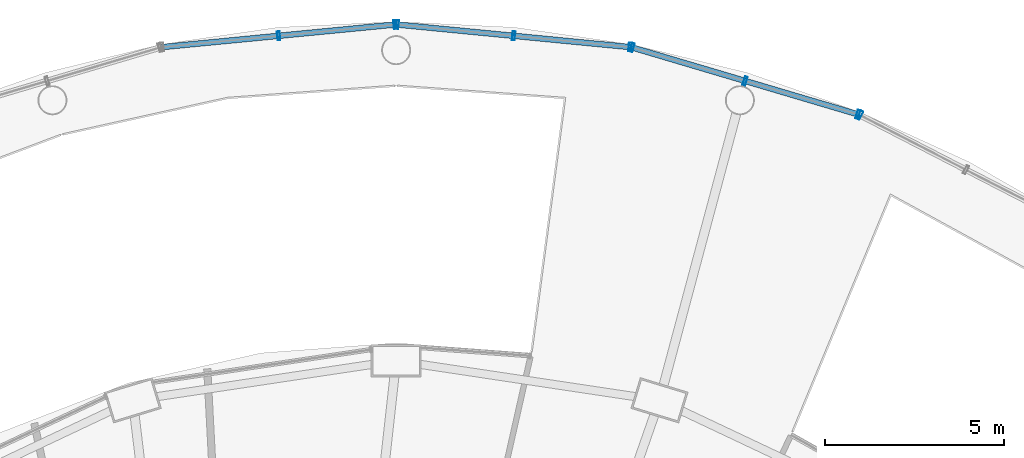
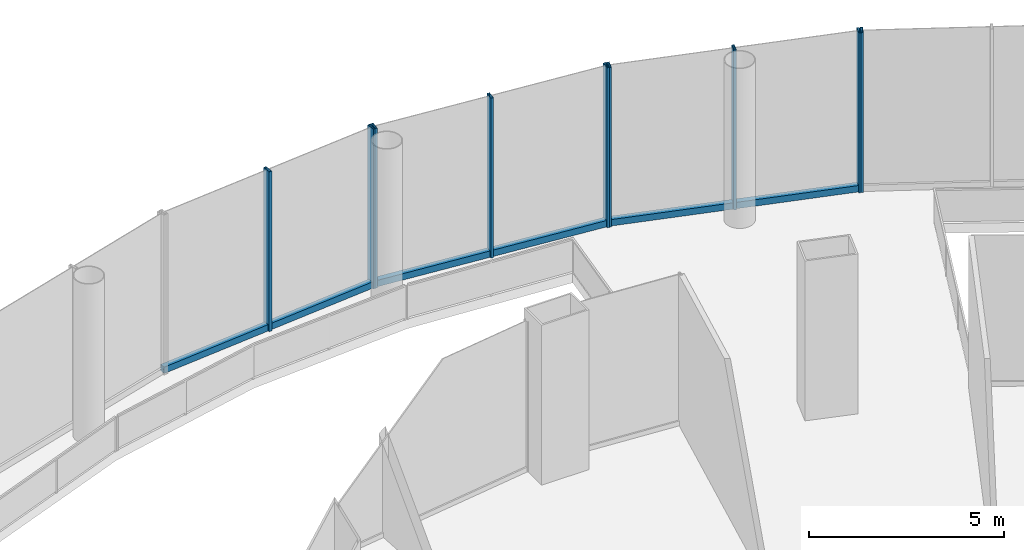
# One storey, part 37 of 47: 12 members, 4 elements without a shape of their own.
"""IFC4 building model written with IfcOpenShell, lengths in metres."""

from ifc_helpers import new_model, si_unit, direction, frame, origin, origin_2d, place, context, subcontext, project, spatial, hollow_rectangle, extrude, material, layer, layer_set, material_profile, profile_set, type_object, element, aggregate, save


model = new_model("IFC4")

# Units and contexts
model_context = context("Model", 3, precision=1e-05, world=origin(), true_north=direction((0.0, 1.0)))
body_context = subcontext(model_context, "Body", "Model", "MODEL_VIEW")
ifc_project = project(units=[si_unit("LENGTHUNIT", "METRE"), si_unit("AREAUNIT", "SQUARE_METRE"), si_unit("VOLUMEUNIT", "CUBIC_METRE"), si_unit("PLANEANGLEUNIT", "RADIAN"), si_unit("MASSUNIT", "GRAM", prefix="KILO")], contexts=[model_context])

# Site, building, storey
site_placement = place(None, origin())
site = spatial("IfcSite", under=ifc_project, at=site_placement, CompositionType="ELEMENT")
building_placement = place(site_placement, origin())
building = spatial("IfcBuilding", under=site, at=building_placement, Name="Nagisa Residences", CompositionType="ELEMENT")
storey_placement = place(building_placement, frame((0.0, 0.0, 17.0)))
storey = spatial("IfcBuildingStorey", under=building, at=storey_placement, Name="L03", CompositionType="ELEMENT", Elevation=17.0)

# Curtain wall, member
ifc_material_1 = material(Name="Stainless steel curtain wall system", Category="steel")
ifc_layer = layer(ifc_material_1, 0.159912109375)
ifc_layer_set = layer_set([ifc_layer], Name="CW3 CURTAIN WALL")
curtain_wall_type = type_object("IfcCurtainWallType", Name="CW3 CURTAIN WALL", PredefinedType="NOTDEFINED", material=ifc_layer_set)
curtain_wall_1_placement = place(storey_placement, origin())
curtain_wall_1 = element("IfcCurtainWall", 1, at=curtain_wall_1_placement, inside=storey, type_object=curtain_wall_type, Name="cw:CW3:L03:06", PredefinedType="NOTDEFINED")
ifc_material_2 = material(Name="Stainless steel", Category="steel")
ifc_material_profile_1 = material_profile(ifc_material_2, hollow_rectangle(XDim=0.25, YDim=0.080078125, WallThickness=0.008056640625, at=origin_2d()), Name="CW3 MULLION 250x80")
ifc_profile_set_1 = profile_set([ifc_material_profile_1], Name="Stainless steel")
member_type_1 = type_object("IfcMemberType", Name="CW3 MULLION 250x80", PredefinedType="MULLION", material=ifc_profile_set_1)
member_1_placement = place(storey_placement, frame((16.595703125, 39.377685546875, 0.0), z_axis=(0.0, 0.0, 1.0), x_axis=(-0.45812598783, -0.888887270285, 0.0)))
member_1 = element("IfcMember", 2, at=member_1_placement, type_object=member_type_1, Name="CW3 mullion", PredefinedType="MULLION", context=body_context, shape_type="SweptSolid", body=[
    extrude(hollow_rectangle(XDim=0.25, YDim=0.080078125, WallThickness=0.008056640625, at=origin_2d()), origin(), (0.0, 0.0, 1.0), 5.0),
])
aggregate(curtain_wall_1, [member_1])

# Curtain wall, members
curtain_wall_2_placement = place(storey_placement, origin())
curtain_wall_2 = element("IfcCurtainWall", 3, at=curtain_wall_2_placement, inside=storey, type_object=curtain_wall_type, Name="cw:CW3:L03:07", PredefinedType="NOTDEFINED")
member_2_placement = place(storey_placement, frame((16.53564453125, 39.40185546875, 0.0), z_axis=(0.0, 0.0, 1.0), x_axis=(-0.283963226669, -0.958835171393, 0.0)))
member_2 = element("IfcMember", 4, at=member_2_placement, type_object=member_type_1, Name="CW3 mullion", PredefinedType="MULLION", context=body_context, shape_type="SweptSolid", body=[
    extrude(hollow_rectangle(XDim=0.25, YDim=0.080078125, WallThickness=0.008056640625, at=origin_2d()), origin(), (0.0, 0.0, 1.0), 5.0),
])
member_3_placement = place(storey_placement, frame((13.375, 40.337890625, 0.0), z_axis=(0.0, 0.0, 1.0), x_axis=(-0.283963226669, -0.958835171393, 0.0)))
member_3 = element("IfcMember", 5, at=member_3_placement, type_object=member_type_1, Name="CW3 mullion", PredefinedType="MULLION", context=body_context, shape_type="SweptSolid", body=[
    extrude(hollow_rectangle(XDim=0.25, YDim=0.080078125, WallThickness=0.008056640625, at=origin_2d()), origin(), (0.0, 0.0, 1.0), 5.0),
])
member_4_placement = place(storey_placement, frame((10.21435546875, 41.27392578125, 0.0), z_axis=(0.0, 0.0, 1.0), x_axis=(-0.283963226669, -0.958835171393, 0.0)))
member_4 = element("IfcMember", 6, at=member_4_placement, type_object=member_type_1, Name="CW3 mullion", PredefinedType="MULLION", context=body_context, shape_type="SweptSolid", body=[
    extrude(hollow_rectangle(XDim=0.25, YDim=0.080078125, WallThickness=0.008056640625, at=origin_2d()), origin(), (0.0, 0.0, 1.0), 5.0),
])

curtain_wall_3_placement = place(storey_placement, origin())
curtain_wall_3 = element("IfcCurtainWall", 7, at=curtain_wall_3_placement, inside=storey, type_object=curtain_wall_type, Name="cw:CW3:L03:08", PredefinedType="NOTDEFINED")
member_5_placement = place(storey_placement, frame((10.151123046875, 41.2861328125, 0.0), z_axis=(0.0, 0.0, 1.0), x_axis=(-0.096249055035, -0.995357282289, 0.0)))
member_5 = element("IfcMember", 8, at=member_5_placement, type_object=member_type_1, Name="CW3 mullion", PredefinedType="MULLION", context=body_context, shape_type="SweptSolid", body=[
    extrude(hollow_rectangle(XDim=0.25, YDim=0.080078125, WallThickness=0.008056640625, at=origin_2d()), origin(), (0.0, 0.0, 1.0), 5.0),
])
member_6_placement = place(storey_placement, frame((6.8916015625, 41.601318359375, 0.0), z_axis=(0.0, 0.0, 1.0), x_axis=(-0.096249055035, -0.995357282289, 0.0)))
member_6 = element("IfcMember", 9, at=member_6_placement, type_object=member_type_1, Name="CW3 mullion", PredefinedType="MULLION", context=body_context, shape_type="SweptSolid", body=[
    extrude(hollow_rectangle(XDim=0.25, YDim=0.080078125, WallThickness=0.008056640625, at=origin_2d()), origin(), (0.0, 0.0, 1.0), 5.0),
])
member_7_placement = place(storey_placement, frame((3.632080078125, 41.91650390625, 0.0), z_axis=(0.0, 0.0, 1.0), x_axis=(-0.096249055035, -0.995357282289, 0.0)))
member_7 = element("IfcMember", 10, at=member_7_placement, type_object=member_type_1, Name="CW3 mullion", PredefinedType="MULLION", context=body_context, shape_type="SweptSolid", body=[
    extrude(hollow_rectangle(XDim=0.25, YDim=0.080078125, WallThickness=0.008056640625, at=origin_2d()), origin(), (0.0, 0.0, 1.0), 5.0),
])

curtain_wall_4_placement = place(storey_placement, origin())
curtain_wall_4 = element("IfcCurtainWall", 11, at=curtain_wall_4_placement, inside=storey, type_object=curtain_wall_type, Name="cw:CW3:L03:09", PredefinedType="NOTDEFINED")
member_8_placement = place(storey_placement, frame((3.56787109375, 41.91650390625, 0.0), z_axis=(0.0, 0.0, 1.0), x_axis=(0.096249055035, -0.995357282289, 0.0)))
member_8 = element("IfcMember", 12, at=member_8_placement, type_object=member_type_1, Name="CW3 mullion", PredefinedType="MULLION", context=body_context, shape_type="SweptSolid", body=[
    extrude(hollow_rectangle(XDim=0.25, YDim=0.080078125, WallThickness=0.008056640625, at=origin_2d()), origin(), (0.0, 0.0, 1.0), 5.0),
])
member_9_placement = place(storey_placement, frame((0.308349609375, 41.601318359375, 0.0), z_axis=(0.0, 0.0, 1.0), x_axis=(0.096249055035, -0.995357282289, 0.0)))
member_9 = element("IfcMember", 13, at=member_9_placement, type_object=member_type_1, Name="CW3 mullion", PredefinedType="MULLION", context=body_context, shape_type="SweptSolid", body=[
    extrude(hollow_rectangle(XDim=0.25, YDim=0.080078125, WallThickness=0.008056640625, at=origin_2d()), origin(), (0.0, 0.0, 1.0), 5.0),
])

# Member
ifc_material_3 = material(Name="Stainless steel", Category="steel")
ifc_material_profile_2 = material_profile(ifc_material_3, hollow_rectangle(XDim=0.159912109375, YDim=0.199951171875, WallThickness=0.008056640625, at=origin_2d()), Name="CW3 TRANSOM 160x200")
ifc_profile_set_2 = profile_set([ifc_material_profile_2], Name="Stainless steel")
member_type_2 = type_object("IfcMemberType", Name="CW3 TRANSOM 160x200", PredefinedType="USERDEFINED", material=ifc_profile_set_2)
member_10_placement = place(storey_placement, frame((16.573974609375, 39.390380859375, 0.10009765625), z_axis=(-0.958835384932, 0.283962505627, 0.0), x_axis=(-0.283962505627, -0.958835384932, 0.0)))
member_10 = element("IfcMember", 14, at=member_10_placement, type_object=member_type_2, Name="CW3 transom", ObjectType="TRANSOM", PredefinedType="USERDEFINED", context=body_context, shape_type="SweptSolid", body=[
    extrude(hollow_rectangle(XDim=0.159912109375, YDim=0.199951171875, WallThickness=0.008056640625, at=origin_2d()), origin(), (0.0, 0.0, 1.0), 6.672607421875),
])

aggregate(curtain_wall_2, [member_2, member_3, member_4, member_10])

member_11_placement = place(storey_placement, frame((10.19091796875, 41.2822265625, 0.10009765625), z_axis=(-0.995355706687, 0.096265347687, 0.0), x_axis=(-0.096265347687, -0.995355706687, 0.0)))
member_11 = element("IfcMember", 15, at=member_11_placement, type_object=member_type_2, Name="CW3 transom", ObjectType="TRANSOM", PredefinedType="USERDEFINED", context=body_context, shape_type="SweptSolid", body=[
    extrude(hollow_rectangle(XDim=0.159912109375, YDim=0.199951171875, WallThickness=0.008056640625, at=origin_2d()), origin(), (0.0, 0.0, 1.0), 6.62939453125),
])

aggregate(curtain_wall_3, [member_5, member_6, member_7, member_11])

member_12_placement = place(storey_placement, frame((3.607666015625, 41.92041015625, 0.10009765625), z_axis=(-0.995355706687, -0.096265347687, 0.0), x_axis=(0.096265347687, -0.995355706687, 0.0)))
member_12 = element("IfcMember", 16, at=member_12_placement, type_object=member_type_2, Name="CW3 transom", ObjectType="TRANSOM", PredefinedType="USERDEFINED", context=body_context, shape_type="SweptSolid", body=[
    extrude(hollow_rectangle(XDim=0.159912109375, YDim=0.199951171875, WallThickness=0.008056640625, at=origin_2d()), origin(), (0.0, 0.0, 1.0), 6.62939453125),
])

aggregate(curtain_wall_4, [member_8, member_9, member_12])

save(model, "model.ifc")
